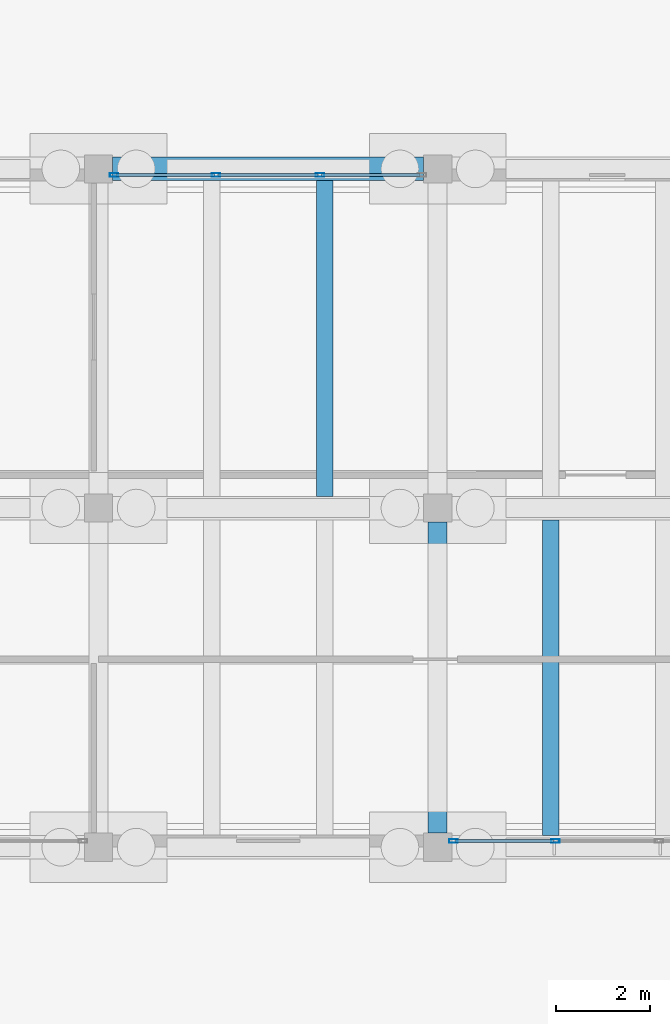
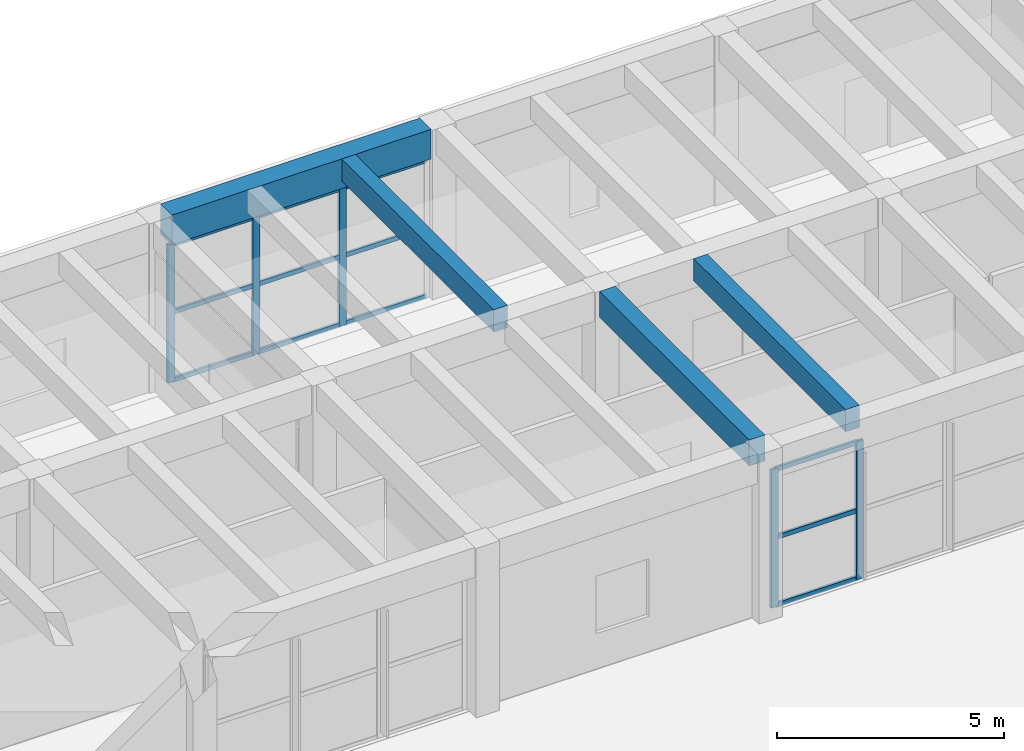
# One storey, part 102 of 155: 17 members, 4 beams, 2 elements without a shape of their own.
"""IFC4 building model written with IfcOpenShell, lengths in metres."""

from ifc_helpers import new_model, si_unit, direction, frame, origin, origin_2d, place, context, subcontext, project, spatial, rectangle, hollow_rectangle, extrude, material, material_profile, profile_set, type_object, element, aggregate, save


model = new_model("IFC4")

# Units and contexts
model_context = context("Model", 3, precision=1e-05, world=origin(), true_north=direction((0.0, 1.0)))
body_context = subcontext(model_context, "Body", "Model", "MODEL_VIEW")
ifc_project = project(units=[si_unit("LENGTHUNIT", "METRE"), si_unit("AREAUNIT", "SQUARE_METRE"), si_unit("VOLUMEUNIT", "CUBIC_METRE"), si_unit("PLANEANGLEUNIT", "RADIAN"), si_unit("MASSUNIT", "GRAM", prefix="KILO")], contexts=[model_context])

# Site, building, storey
site_placement = place(None, origin())
site = spatial("IfcSite", under=ifc_project, at=site_placement, CompositionType="ELEMENT")
building_placement = place(site_placement, origin())
building = spatial("IfcBuilding", under=site, at=building_placement, Name="Bramvelor Terrace Health Centre", CompositionType="ELEMENT")
storey_placement = place(building_placement, origin())
storey = spatial("IfcBuildingStorey", under=building, at=storey_placement, Name="L01", CompositionType="ELEMENT", Elevation=0.0)

# Beams
ifc_material_1 = material(Name="Concrete C40/50", Category="concrete")
ifc_material_profile_1 = material_profile(ifc_material_1, rectangle(XDim=0.39990234375, YDim=0.699951171875, at=origin_2d()), Name="RC 400x700")
ifc_profile_set_1 = profile_set([ifc_material_profile_1], Name="Concrete C40/50")
beam_type_1 = type_object("IfcBeamType", Name="BM-RC-G700", PredefinedType="BEAM", material=ifc_profile_set_1)
beam_1_placement = place(storey_placement, frame((144.0, 50.699951171875, 4.2099609375), z_axis=(0.0, 1.0, 0.0), x_axis=(-1.0, 0.0, 0.0)))
element("IfcBeam", 1, at=beam_1_placement, inside=storey, type_object=beam_type_1, Name="L01 Floor Girder", PredefinedType="BEAM", context=body_context, shape_type="SweptSolid", body=[
    extrude(rectangle(XDim=0.39990234375, YDim=0.699951171875, at=origin_2d()), origin(), (0.0, 0.0, 1.0), 6.60009765625),
])
ifc_material_2 = material(Name="Concrete C40/50", Category="concrete")
ifc_material_profile_2 = material_profile(ifc_material_2, rectangle(XDim=0.5, YDim=0.800048828125, at=origin_2d()), Name="RC 500x800")
ifc_profile_set_2 = profile_set([ifc_material_profile_2], Name="Concrete C40/50")
beam_type_2 = type_object("IfcBeamType", Name="BM-RC-G800", PredefinedType="BEAM", material=ifc_profile_set_2)
beam_2_placement = place(storey_placement, frame((137.10009765625, 64.800048828125, 4.159912109375), z_axis=(1.0, 0.0, 0.0), x_axis=(0.0, 1.0, 0.0)))
element("IfcBeam", 2, at=beam_2_placement, inside=storey, type_object=beam_type_2, Name="L01 Floor Girder", PredefinedType="BEAM", context=body_context, shape_type="SweptSolid", body=[
    extrude(rectangle(XDim=0.5, YDim=0.800048828125, at=origin_2d()), origin(), (0.0, 0.0, 1.0), 6.599853515625),
])
ifc_material_3 = material(Name="Concrete C40/50", Category="concrete")
ifc_material_profile_3 = material_profile(ifc_material_3, rectangle(XDim=0.35009765625, YDim=0.60009765625, at=origin_2d()), Name="RC 350x600")
ifc_profile_set_3 = profile_set([ifc_material_profile_3], Name="Concrete C40/50")
beam_type_3 = type_object("IfcBeamType", Name="BM-RC-J600", PredefinedType="JOIST", material=ifc_profile_set_3)
beam_3_placement = place(storey_placement, frame((141.60009765625, 57.85009765625, 4.260009765625), z_axis=(0.0, 1.0, 0.0), x_axis=(-1.0, 0.0, 0.0)))
element("IfcBeam", 3, at=beam_3_placement, inside=storey, type_object=beam_type_3, Name="L01 Secondary Floor Joist", PredefinedType="JOIST", context=body_context, shape_type="SweptSolid", body=[
    extrude(rectangle(XDim=0.35009765625, YDim=0.60009765625, at=origin_2d()), origin(), (0.0, 0.0, 1.0), 6.699951171875),
])
beam_4_placement = place(storey_placement, frame((146.39990234375, 50.64990234375, 4.260009765625), z_axis=(0.0, 1.0, 0.0), x_axis=(-1.0, 0.0, 0.0)))
element("IfcBeam", 4, at=beam_4_placement, inside=storey, type_object=beam_type_3, Name="L01 Secondary Floor Joist", PredefinedType="JOIST", context=body_context, shape_type="SweptSolid", body=[
    extrude(rectangle(XDim=0.35009765625, YDim=0.60009765625, at=origin_2d()), origin(), (0.0, 0.0, 1.0), 6.7001953125),
])

# Curtain wall, members
ifc_material_4 = material(Name="Anodized aluminium and double low-E glass", Category="aluminium")
curtain_wall_type = type_object("IfcCurtainWallType", Name="CW-SYS-02", PredefinedType="NOTDEFINED", material=ifc_material_4)
curtain_wall_1_placement = place(storey_placement, origin())
curtain_wall_1 = element("IfcCurtainWall", 5, at=curtain_wall_1_placement, inside=storey, type_object=curtain_wall_type, Name="L01 Unitized Curtain Wall 39", PredefinedType="NOTDEFINED")
ifc_material_5 = material(Name="Anodized aluminium 6063-T6", Category="aluminium")
ifc_material_profile_4 = material_profile(ifc_material_5, hollow_rectangle(XDim=0.074951171875, YDim=0.179931640625, WallThickness=0.00341796875, at=origin_2d()), Name="ALU-MUL 75x180x3.5")
ifc_profile_set_4 = profile_set([ifc_material_profile_4], Name="Anodized aluminium 6063-T6")
member_type_1 = type_object("IfcMemberType", Name="CW-MUL-65x180", PredefinedType="MULLION", material=ifc_profile_set_4)
member_1_placement = place(storey_placement, frame((137.132568359375, 64.669921875, 0.0), z_axis=(0.0, 0.0, 1.0), x_axis=(0.0, 1.0, 0.0)))
member_1 = element("IfcMember", 6, at=member_1_placement, type_object=member_type_1, Name="CW-02 mullion 1", PredefinedType="MULLION", context=body_context, shape_type="SweptSolid", body=[
    extrude(hollow_rectangle(XDim=0.074951171875, YDim=0.179931640625, WallThickness=0.00341796875, at=origin_2d()), origin(), (0.0, 0.0, 1.0), 3.719970703125),
])
member_2_placement = place(storey_placement, frame((139.29833984375, 64.669921875, 0.0), z_axis=(0.0, 0.0, 1.0), x_axis=(0.0, 1.0, 0.0)))
member_2 = element("IfcMember", 7, at=member_2_placement, type_object=member_type_1, Name="CW-02 mullion 2", PredefinedType="MULLION", context=body_context, shape_type="SweptSolid", body=[
    extrude(hollow_rectangle(XDim=0.074951171875, YDim=0.179931640625, WallThickness=0.00341796875, at=origin_2d()), origin(), (0.0, 0.0, 1.0), 3.719970703125),
])
member_3_placement = place(storey_placement, frame((141.501708984375, 64.669921875, 0.0), z_axis=(0.0, 0.0, 1.0), x_axis=(0.0, 1.0, 0.0)))
member_3 = element("IfcMember", 8, at=member_3_placement, type_object=member_type_1, Name="CW-02 mullion 3", PredefinedType="MULLION", context=body_context, shape_type="SweptSolid", body=[
    extrude(hollow_rectangle(XDim=0.074951171875, YDim=0.179931640625, WallThickness=0.00341796875, at=origin_2d()), origin(), (0.0, 0.0, 1.0), 3.719970703125),
])

curtain_wall_2_placement = place(storey_placement, origin())
curtain_wall_2 = element("IfcCurtainWall", 9, at=curtain_wall_2_placement, inside=storey, type_object=curtain_wall_type, Name="L01 Unitized Curtain Wall 42", PredefinedType="NOTDEFINED")
member_4_placement = place(storey_placement, frame((146.498291015625, 50.530029296875, 0.0), z_axis=(0.0, 0.0, 1.0), x_axis=(0.0, -1.0, 0.0)))
member_4 = element("IfcMember", 10, at=member_4_placement, type_object=member_type_1, Name="CW-02 mullion 3", PredefinedType="MULLION", context=body_context, shape_type="SweptSolid", body=[
    extrude(hollow_rectangle(XDim=0.074951171875, YDim=0.179931640625, WallThickness=0.00341796875, at=origin_2d()), origin(), (0.0, 0.0, 1.0), 3.719970703125),
])
member_5_placement = place(storey_placement, frame((144.33251953125, 50.530029296875, 0.0), z_axis=(0.0, 0.0, 1.0), x_axis=(0.0, -1.0, 0.0)))
member_5 = element("IfcMember", 11, at=member_5_placement, type_object=member_type_1, Name="CW-02 mullion 4", PredefinedType="MULLION", context=body_context, shape_type="SweptSolid", body=[
    extrude(hollow_rectangle(XDim=0.074951171875, YDim=0.179931640625, WallThickness=0.00341796875, at=origin_2d()), origin(), (0.0, 0.0, 1.0), 3.719970703125),
])

# Member
ifc_material_6 = material(Name="Anodized aluminium 6063-T6", Category="aluminium")
ifc_material_profile_5 = material_profile(ifc_material_6, hollow_rectangle(XDim=0.06494140625, YDim=0.1201171875, WallThickness=0.0029296875, at=origin_2d()), Name="ALU-TRN 65x120x3.0")
ifc_profile_set_5 = profile_set([ifc_material_profile_5], Name="Anodized aluminium 6063-T6")
member_type_2 = type_object("IfcMemberType", Name="CW-TRN-65x150", PredefinedType="USERDEFINED", material=ifc_profile_set_5)
member_6_placement = place(storey_placement, frame((137.169921875, 64.669921875, 0.032470703125), z_axis=(1.0, 0.0, 0.0), x_axis=(0.0, 1.0, 0.0)))
member_6 = element("IfcMember", 12, at=member_6_placement, type_object=member_type_2, Name="CW-02 transom 1.1", ObjectType="TRANSOM", PredefinedType="USERDEFINED", context=body_context, shape_type="SweptSolid", body=[
    extrude(hollow_rectangle(XDim=0.06494140625, YDim=0.1201171875, WallThickness=0.0029296875, at=origin_2d()), origin(), (0.0, 0.0, 1.0), 2.0908203125),
])

member_7_placement = place(storey_placement, frame((137.169921875, 64.669921875, 1.860107421875), z_axis=(1.0, 0.0, 0.0), x_axis=(0.0, 1.0, 0.0)))
member_7 = element("IfcMember", 13, at=member_7_placement, type_object=member_type_2, Name="CW-02 transom 1.2", ObjectType="TRANSOM", PredefinedType="USERDEFINED", context=body_context, shape_type="SweptSolid", body=[
    extrude(hollow_rectangle(XDim=0.06494140625, YDim=0.1201171875, WallThickness=0.0029296875, at=origin_2d()), origin(), (0.0, 0.0, 1.0), 2.0908203125),
])

member_8_placement = place(storey_placement, frame((137.169921875, 64.669921875, 3.6875), z_axis=(1.0, 0.0, 0.0), x_axis=(0.0, 1.0, 0.0)))
member_8 = element("IfcMember", 14, at=member_8_placement, type_object=member_type_2, Name="CW-02 transom 1.3", ObjectType="TRANSOM", PredefinedType="USERDEFINED", context=body_context, shape_type="SweptSolid", body=[
    extrude(hollow_rectangle(XDim=0.06494140625, YDim=0.1201171875, WallThickness=0.0029296875, at=origin_2d()), origin(), (0.0, 0.0, 1.0), 2.0908203125),
])

member_9_placement = place(storey_placement, frame((139.3359375, 64.669921875, 0.032470703125), z_axis=(1.0, 0.0, 0.0), x_axis=(0.0, 1.0, 0.0)))
member_9 = element("IfcMember", 15, at=member_9_placement, type_object=member_type_2, Name="CW-02 transom 2.1", ObjectType="TRANSOM", PredefinedType="USERDEFINED", context=body_context, shape_type="SweptSolid", body=[
    extrude(hollow_rectangle(XDim=0.06494140625, YDim=0.1201171875, WallThickness=0.0029296875, at=origin_2d()), origin(), (0.0, 0.0, 1.0), 2.128173828125),
])

member_10_placement = place(storey_placement, frame((139.3359375, 64.669921875, 1.860107421875), z_axis=(1.0, 0.0, 0.0), x_axis=(0.0, 1.0, 0.0)))
member_10 = element("IfcMember", 16, at=member_10_placement, type_object=member_type_2, Name="CW-02 transom 2.2", ObjectType="TRANSOM", PredefinedType="USERDEFINED", context=body_context, shape_type="SweptSolid", body=[
    extrude(hollow_rectangle(XDim=0.06494140625, YDim=0.1201171875, WallThickness=0.0029296875, at=origin_2d()), origin(), (0.0, 0.0, 1.0), 2.128173828125),
])

member_11_placement = place(storey_placement, frame((139.3359375, 64.669921875, 3.6875), z_axis=(1.0, 0.0, 0.0), x_axis=(0.0, 1.0, 0.0)))
member_11 = element("IfcMember", 17, at=member_11_placement, type_object=member_type_2, Name="CW-02 transom 2.3", ObjectType="TRANSOM", PredefinedType="USERDEFINED", context=body_context, shape_type="SweptSolid", body=[
    extrude(hollow_rectangle(XDim=0.06494140625, YDim=0.1201171875, WallThickness=0.0029296875, at=origin_2d()), origin(), (0.0, 0.0, 1.0), 2.128173828125),
])

member_12_placement = place(storey_placement, frame((141.5390625, 64.669921875, 0.032470703125), z_axis=(1.0, 0.0, 0.0), x_axis=(0.0, 1.0, 0.0)))
member_12 = element("IfcMember", 18, at=member_12_placement, type_object=member_type_2, Name="CW-02 transom 3.1", ObjectType="TRANSOM", PredefinedType="USERDEFINED", context=body_context, shape_type="SweptSolid", body=[
    extrude(hollow_rectangle(XDim=0.06494140625, YDim=0.1201171875, WallThickness=0.0029296875, at=origin_2d()), origin(), (0.0, 0.0, 1.0), 2.0908203125),
])

member_13_placement = place(storey_placement, frame((141.5390625, 64.669921875, 1.860107421875), z_axis=(1.0, 0.0, 0.0), x_axis=(0.0, 1.0, 0.0)))
member_13 = element("IfcMember", 19, at=member_13_placement, type_object=member_type_2, Name="CW-02 transom 3.2", ObjectType="TRANSOM", PredefinedType="USERDEFINED", context=body_context, shape_type="SweptSolid", body=[
    extrude(hollow_rectangle(XDim=0.06494140625, YDim=0.1201171875, WallThickness=0.0029296875, at=origin_2d()), origin(), (0.0, 0.0, 1.0), 2.0908203125),
])

member_14_placement = place(storey_placement, frame((141.5390625, 64.669921875, 3.6875), z_axis=(1.0, 0.0, 0.0), x_axis=(0.0, 1.0, 0.0)))
member_14 = element("IfcMember", 20, at=member_14_placement, type_object=member_type_2, Name="CW-02 transom 3.3", ObjectType="TRANSOM", PredefinedType="USERDEFINED", context=body_context, shape_type="SweptSolid", body=[
    extrude(hollow_rectangle(XDim=0.06494140625, YDim=0.1201171875, WallThickness=0.0029296875, at=origin_2d()), origin(), (0.0, 0.0, 1.0), 2.0908203125),
])

aggregate(curtain_wall_1, [member_1, member_2, member_3, member_6, member_7, member_8, member_9, member_10, member_11, member_12, member_13, member_14])

member_15_placement = place(storey_placement, frame((146.4609375, 50.530029296875, 0.032470703125), z_axis=(-1.0, 0.0, 0.0), x_axis=(0.0, -1.0, 0.0)))
member_15 = element("IfcMember", 21, at=member_15_placement, type_object=member_type_2, Name="CW-02 transom 3.1", ObjectType="TRANSOM", PredefinedType="USERDEFINED", context=body_context, shape_type="SweptSolid", body=[
    extrude(hollow_rectangle(XDim=0.06494140625, YDim=0.1201171875, WallThickness=0.0029296875, at=origin_2d()), origin(), (0.0, 0.0, 1.0), 2.0908203125),
])

member_16_placement = place(storey_placement, frame((146.4609375, 50.530029296875, 1.860107421875), z_axis=(-1.0, 0.0, 0.0), x_axis=(0.0, -1.0, 0.0)))
member_16 = element("IfcMember", 22, at=member_16_placement, type_object=member_type_2, Name="CW-02 transom 3.2", ObjectType="TRANSOM", PredefinedType="USERDEFINED", context=body_context, shape_type="SweptSolid", body=[
    extrude(hollow_rectangle(XDim=0.06494140625, YDim=0.1201171875, WallThickness=0.0029296875, at=origin_2d()), origin(), (0.0, 0.0, 1.0), 2.0908203125),
])

member_17_placement = place(storey_placement, frame((146.4609375, 50.530029296875, 3.6875), z_axis=(-1.0, 0.0, 0.0), x_axis=(0.0, -1.0, 0.0)))
member_17 = element("IfcMember", 23, at=member_17_placement, type_object=member_type_2, Name="CW-02 transom 3.3", ObjectType="TRANSOM", PredefinedType="USERDEFINED", context=body_context, shape_type="SweptSolid", body=[
    extrude(hollow_rectangle(XDim=0.06494140625, YDim=0.1201171875, WallThickness=0.0029296875, at=origin_2d()), origin(), (0.0, 0.0, 1.0), 2.0908203125),
])

aggregate(curtain_wall_2, [member_4, member_5, member_15, member_16, member_17])

save(model, "model.ifc")
